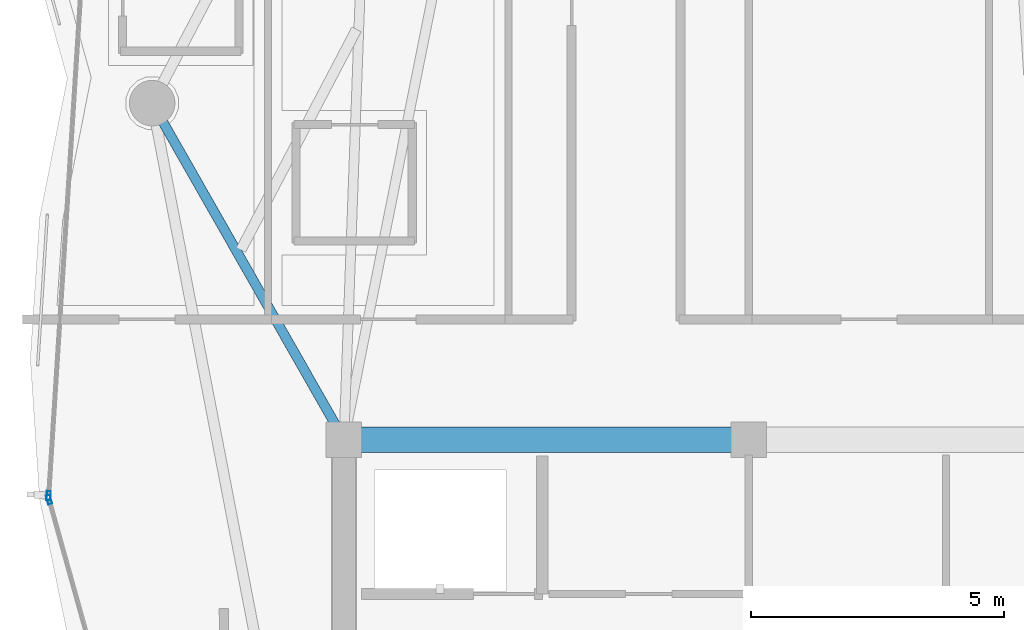
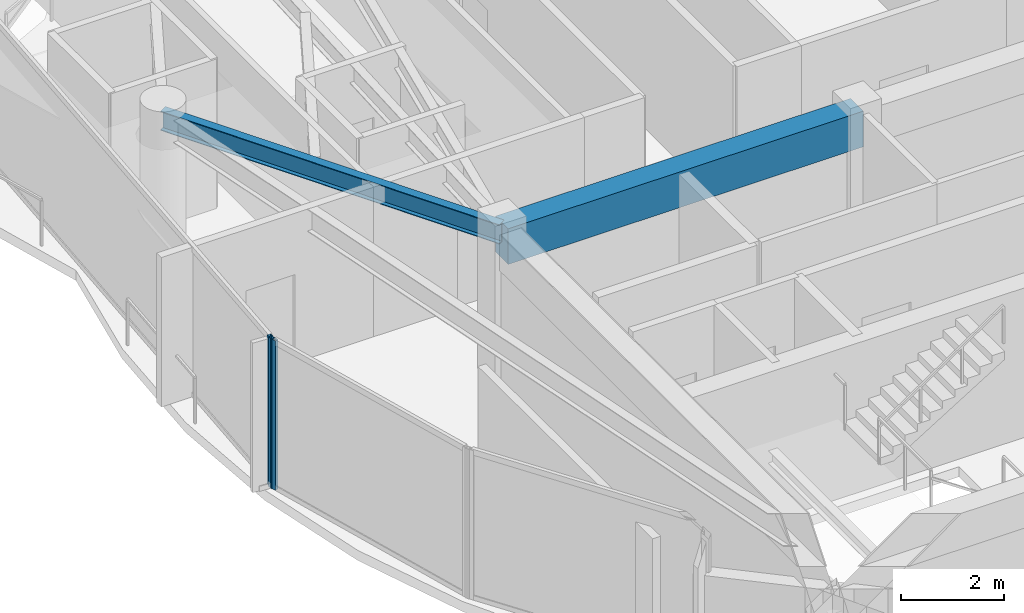
# One storey, part 9 of 29: 2 beams, 2 members, 2 elements without a shape of their own.
"""IFC4 building model written with IfcOpenShell, lengths in metres."""

from ifc_helpers import new_model, si_unit, direction, frame, origin, origin_2d, place, context, subcontext, project, spatial, rectangle, hollow_rectangle, i_section, extrude, material, layer, layer_set, material_profile, profile_set, type_object, element, aggregate, save


model = new_model("IFC4")

# Units and contexts
model_context = context("Model", 3, precision=1e-05, world=origin(), true_north=direction((0.0, 1.0)))
body_context = subcontext(model_context, "Body", "Model", "MODEL_VIEW")
ifc_project = project(units=[si_unit("LENGTHUNIT", "METRE"), si_unit("AREAUNIT", "SQUARE_METRE"), si_unit("VOLUMEUNIT", "CUBIC_METRE"), si_unit("PLANEANGLEUNIT", "RADIAN"), si_unit("MASSUNIT", "GRAM", prefix="KILO")], contexts=[model_context])

# Site, building, storey
site_placement = place(None, origin())
site = spatial("IfcSite", under=ifc_project, at=site_placement, CompositionType="ELEMENT")
building_placement = place(site_placement, origin())
building = spatial("IfcBuilding", under=site, at=building_placement, Name="Kazevale Care Tower and Concert Hall", CompositionType="ELEMENT")
storey_placement = place(building_placement, frame((0.0, 0.0, 262.39990234375)))
storey = spatial("IfcBuildingStorey", under=building, at=storey_placement, Name="L69", CompositionType="ELEMENT", Elevation=262.39990234375)

# Curtain wall, member
ifc_material_1 = material(Name="Aluminium 6063-T6 and Low-E Glass", Category="aluminium")
ifc_layer = layer(ifc_material_1, 0.179931640625)
ifc_layer_set = layer_set([ifc_layer], Name="Aluminium 6063-T6 and Low-E Glass")
curtain_wall_type = type_object("IfcCurtainWallType", Name="Waist & Upper Residential Curtain Wall CW-4", PredefinedType="NOTDEFINED", material=ifc_layer_set)
curtain_wall_1_placement = place(storey_placement, origin())
curtain_wall_1 = element("IfcCurtainWall", 1, at=curtain_wall_1_placement, inside=storey, type_object=curtain_wall_type, Name="cw:L69:f12", PredefinedType="NOTDEFINED")
ifc_material_2 = material(Name="Aluminium 6063-T6", Category="aluminium")
ifc_material_profile_1 = material_profile(ifc_material_2, hollow_rectangle(XDim=0.080078125, YDim=0.179931640625, WallThickness=0.0048828125, at=origin_2d()), Name="ALU80x180x5")
ifc_profile_set_1 = profile_set([ifc_material_profile_1], Name="Aluminium 6063-T6")
member_type = type_object("IfcMemberType", Name="CW-4 Mullion ALU80x180x5", PredefinedType="MULLION", material=ifc_profile_set_1)
member_1_placement = place(storey_placement, frame((16.1728515625, 35.215576171875, 0.0), z_axis=(0.0, 0.0, 1.0), x_axis=(-0.963194056491, -0.268807011704, 0.0)))
member_1 = element("IfcMember", 2, at=member_1_placement, type_object=member_type, Name="CW-4 mullion 2", PredefinedType="MULLION", context=body_context, shape_type="SweptSolid", body=[
    extrude(hollow_rectangle(XDim=0.080078125, YDim=0.179931640625, WallThickness=0.0048828125, at=origin_2d()), origin(), (0.0, 0.0, 1.0), 3.56005859375),
])
aggregate(curtain_wall_1, [member_1])

curtain_wall_2_placement = place(storey_placement, origin())
curtain_wall_2 = element("IfcCurtainWall", 3, at=curtain_wall_2_placement, inside=storey, type_object=curtain_wall_type, Name="cw:L69:f13", PredefinedType="NOTDEFINED")
member_2_placement = place(storey_placement, frame((16.16455078125, 35.2939453125, 0.0), z_axis=(0.0, 0.0, 1.0), x_axis=(-0.997979198047, 0.063541484604, 0.0)))
member_2 = element("IfcMember", 4, at=member_2_placement, type_object=member_type, Name="CW-4 mullion 1", PredefinedType="MULLION", context=body_context, shape_type="SweptSolid", body=[
    extrude(hollow_rectangle(XDim=0.080078125, YDim=0.179931640625, WallThickness=0.0048828125, at=origin_2d()), origin(), (0.0, 0.0, 1.0), 3.56005859375),
])
aggregate(curtain_wall_2, [member_2])

# Beams
ifc_material_3 = material(Name="Concrete C60", Category="concrete")
ifc_material_profile_2 = material_profile(ifc_material_3, rectangle(XDim=0.5, YDim=0.85009765625, at=origin_2d()), Name="RC-B500x850")
ifc_profile_set_2 = profile_set([ifc_material_profile_2], Name="Concrete C60")
beam_type_1 = type_object("IfcBeamType", Name="Core Coupling Beam RC500x850", PredefinedType="LINTEL", material=ifc_profile_set_2)
beam_1_placement = place(storey_placement, frame((30.0, 36.39990234375, 3.135009765625), z_axis=(-1.0, 0.0, 0.0), x_axis=(0.0, -1.0, 0.0)))
element("IfcBeam", 5, at=beam_1_placement, inside=storey, type_object=beam_type_1, Name="beam:L69:coretie:7", PredefinedType="LINTEL", context=body_context, shape_type="SweptSolid", body=[
    extrude(rectangle(XDim=0.5, YDim=0.85009765625, at=origin_2d()), origin(), (0.0, 0.0, 1.0), 8.0),
])
ifc_material_4 = material(Name="Steel ASTM A572 Gr 50", Category="steel")
ifc_material_profile_3 = material_profile(ifc_material_4, i_section(OverallWidth=0.19091796875, OverallDepth=0.4599609375, WebThickness=0.010009765625, FlangeThickness=0.01611328125, at=origin_2d()), Name="W460x82")
ifc_profile_set_3 = profile_set([ifc_material_profile_3], Name="Steel ASTM A572 Gr 50")
beam_type_2 = type_object("IfcBeamType", Name="Radial Floor Beam W460x82", PredefinedType="BEAM", material=ifc_profile_set_3)
beam_2_placement = place(storey_placement, frame((22.0, 36.39990234375, 3.330078125), z_axis=(-0.495149357892, 0.868807869082, 0.0), x_axis=(-0.868807869082, -0.495149357892, 0.0)))
element("IfcBeam", 6, at=beam_2_placement, inside=storey, type_object=beam_type_2, Name="beam:L69:rad:09", PredefinedType="BEAM", context=body_context, shape_type="SweptSolid", body=[
    extrude(i_section(OverallWidth=0.19091796875, OverallDepth=0.4599609375, WebThickness=0.010009765625, FlangeThickness=0.01611328125, at=origin_2d()), origin(), (0.0, 0.0, 1.0), 7.654296875),
])

save(model, "model.ifc")
